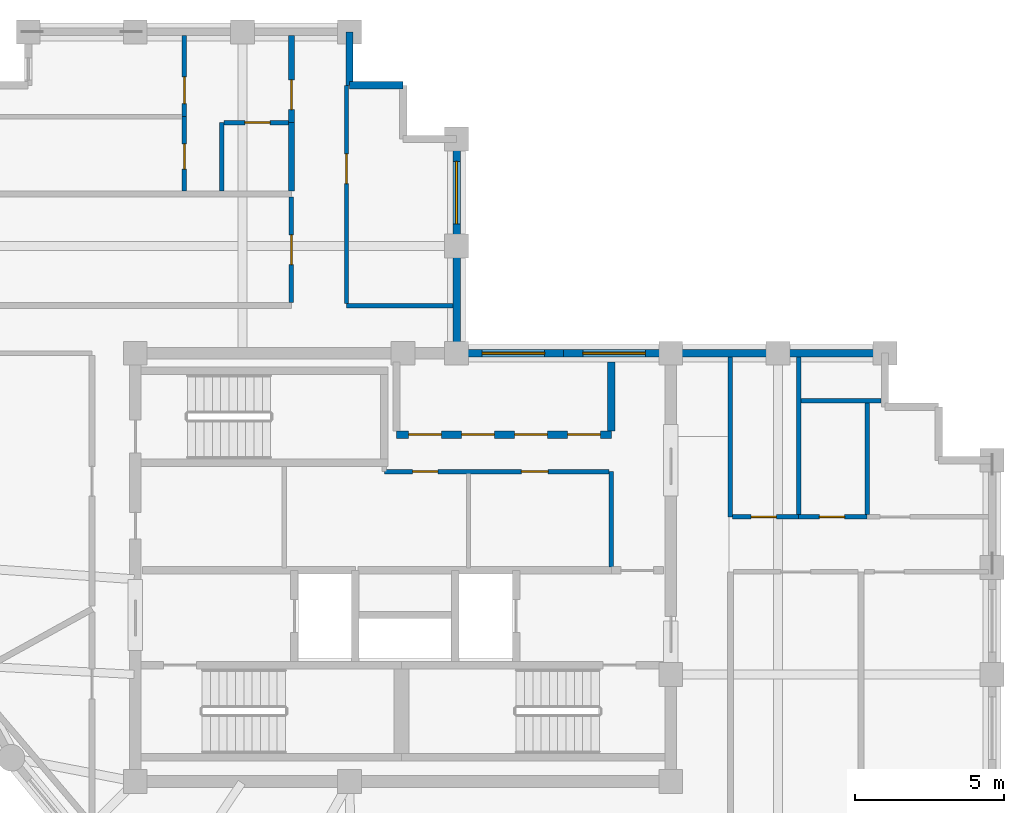
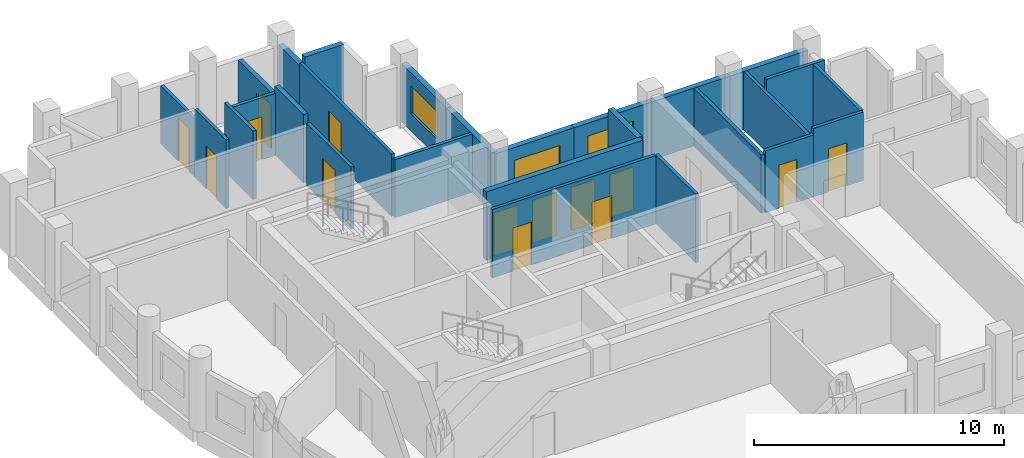
# One storey, part 4 of 6: 27 walls, 14 doors, 3 windows, 17 openings.
"""IFC4 building model written with IfcOpenShell, lengths in metres."""

from ifc_helpers import new_model, si_unit, direction, frame, frame_2d, origin, place, context, subcontext, project, spatial, rectangle, extrude, material, layer, layer_set, type_object, element, fill, save


model = new_model("IFC4")

# Units and contexts
model_context = context("Model", 3, precision=1e-05, world=origin(), true_north=direction((0.0, 1.0)))
body_context = subcontext(model_context, "Body", "Model", "MODEL_VIEW")
ifc_project = project(units=[si_unit("LENGTHUNIT", "METRE"), si_unit("AREAUNIT", "SQUARE_METRE"), si_unit("VOLUMEUNIT", "CUBIC_METRE"), si_unit("PLANEANGLEUNIT", "RADIAN"), si_unit("MASSUNIT", "GRAM", prefix="KILO")], contexts=[model_context])

# Site, building, storey
site_placement = place(None, origin())
site = spatial("IfcSite", under=ifc_project, at=site_placement, CompositionType="ELEMENT")
building_placement = place(site_placement, origin())
building = spatial("IfcBuilding", under=site, at=building_placement, Name="Solnavia Interchange Tower", CompositionType="ELEMENT")
storey_placement = place(building_placement, frame((0.0, 0.0, 277.39990234375)))
storey = spatial("IfcBuildingStorey", under=building, at=storey_placement, Name="L70", CompositionType="ELEMENT", Elevation=277.39990234375)

# Wall
ifc_material_1 = material(Name="Gypsum Acoustic Twin-Stud & Mineral Wool", Category="gypsum")
ifc_layer_1 = layer(ifc_material_1, 0.199951171875)
ifc_layer_set_1 = layer_set([ifc_layer_1], Name="Gypsum Acoustic Twin-Stud & Mineral Wool")
wall_type_1 = type_object("IfcWallType", Name="Wall-ApartmentParty-200", PredefinedType="PARTITIONING", material=ifc_layer_set_1)
wall_1_placement = place(storey_placement, frame((19.64990234375, 30.654052734375, 0.0), z_axis=(0.0, 0.0, 1.0), x_axis=(0.0, 1.0, 0.0)))
element("IfcWall", 1, at=wall_1_placement, inside=storey, type_object=wall_type_1, Name="PTW-L70-23 Interior partition wall", PredefinedType="PARTITIONING", context=body_context, shape_type="SweptSolid", body=[
    extrude(rectangle(XDim=2.2958984375, YDim=0.199951171875, at=frame_2d((1.14794921875, 0.0))), origin(), (0.0, 0.0, 1.0), 3.335205078125),
])

# Wall, opening, door
wall_2_placement = place(storey_placement, frame((19.64990234375, 32.949951171875, 0.0), z_axis=(0.0, 0.0, 1.0), x_axis=(0.0, 1.0, 0.0)))
wall_2 = element("IfcWall", 2, at=wall_2_placement, inside=storey, type_object=wall_type_1, Name="PTW-L70-26 Interior partition wall", PredefinedType="PARTITIONING", context=body_context, shape_type="SweptSolid", body=[
    extrude(rectangle(XDim=2.921142578125, YDim=0.199951171875, at=frame_2d((1.46044921875, 0.0))), origin(), (0.0, 0.0, 1.0), 2.830078125),
])
opening_1_placement = place(wall_2_placement, frame((0.43798828125, 0.0, 0.0)))
opening_1 = element("IfcOpeningElement", 3, at=opening_1_placement, cuts=wall_2, Name="Opening DR-06", PredefinedType="OPENING", context=body_context, shape_type="SweptSolid", body=[
    extrude(rectangle(XDim=1.0, YDim=2.10009765625, at=frame_2d((0.5, 1.050048828125))), frame((0.0, 0.10986328125, 0.0), z_axis=(0.0, -1.0, 0.0), x_axis=(1.0, 0.0, 0.0)), (0.0, 0.0, 1.0), 0.219970703125),
])
ifc_material_2 = material(Name="Engineered Timber Acoustic Fire Door", Category="wood")
door_type_1 = type_object("IfcDoorType", Name="Door-FlatEntry-1000x2100", OperationType="SINGLE_SWING_LEFT", PredefinedType="DOOR", material=ifc_material_2)
door_1_placement = place(opening_1_placement, origin())
door_1 = element("IfcDoor", 4, at=door_1_placement, inside=storey, type_object=door_type_1, Name="DR-L70-12 Interior room door", OperationType="SINGLE_SWING_RIGHT", OverallHeight=2.10009765625, OverallWidth=1.0, PredefinedType="DOOR", context=body_context, shape_type="SweptSolid", body=[
    extrude(rectangle(XDim=1.0, YDim=2.10009765625, at=frame_2d((0.5, 1.050048828125))), frame((0.0, 0.02490234375, 0.0), z_axis=(0.0, -1.0, 0.0), x_axis=(1.0, 0.0, 0.0)), (0.0, 0.0, 1.0), 0.050048828125),
])
fill(opening_1, door_1)

# Walls
ifc_material_3 = material(Name="Concrete C40/50", Category="concrete")
ifc_layer_2 = layer(ifc_material_3, 0.25)
ifc_layer_set_2 = layer_set([ifc_layer_2], Name="Concrete C40/50")
wall_type_2 = type_object("IfcWallType", Name="Wall-ExtSpandrel-250", PredefinedType="STANDARD", material=ifc_layer_set_2)
for number, where, z_axis, x_axis, name in (
    (5, (36.0, 25.199951171875, 0.0), (0.0, 0.0, 1.0), (1.0, 0.0, 0.0), "EXW-L70-17 Exterior precast spandrel wall"),
    (6, (32.39990234375, 25.199951171875, 0.0), (0.0, 0.0, 1.0), (1.0, 0.0, 0.0), "EXW-L70-18 Exterior precast spandrel wall"),
):
    element("IfcWall", number, at=place(storey_placement, frame(where, z_axis=z_axis, x_axis=x_axis)), inside=storey, type_object=wall_type_2, Name=name, PredefinedType="STANDARD", context=body_context, shape_type="SweptSolid", body=[
        extrude(rectangle(XDim=3.60009765625, YDim=0.25, at=frame_2d((1.800048828125, 0.0))), origin(), (0.0, 0.0, 1.0), 2.830078125),
    ])

# Wall, opening, window
wall_3_placement = place(storey_placement, frame((28.800048828125, 25.199951171875, 0.0), z_axis=(0.0, 0.0, 1.0), x_axis=(1.0, 0.0, 0.0)))
wall_3 = element("IfcWall", 7, at=wall_3_placement, inside=storey, type_object=wall_type_2, Name="EXW-L70-19 Exterior precast spandrel wall", PredefinedType="STANDARD", context=body_context, shape_type="SweptSolid", body=[
    extrude(rectangle(XDim=3.599853515625, YDim=0.25, at=frame_2d((1.7998046875, 0.0))), origin(), (0.0, 0.0, 1.0), 2.830078125),
])
opening_2_placement = place(wall_3_placement, frame((0.64501953125, 0.0, 0.85009765625)))
opening_2 = element("IfcOpeningElement", 8, at=opening_2_placement, cuts=wall_3, Name="Opening WIN-01", PredefinedType="OPENING", context=body_context, shape_type="SweptSolid", body=[
    extrude(rectangle(XDim=2.10009765625, YDim=1.35009765625, at=frame_2d((1.050048828125, 0.675048828125))), frame((0.0, 0.135009765625, 0.0), z_axis=(0.0, -1.0, 0.0), x_axis=(1.0, 0.0, 0.0)), (0.0, 0.0, 1.0), 0.27001953125),
])
ifc_material_4 = material(Name="Thermal-Break Aluminium & Low-E Glass", Category="aluminium")
window_type = type_object("IfcWindowType", Name="Window-Ribbon-2100x1350", PartitioningType="SINGLE_PANEL", PredefinedType="WINDOW", material=ifc_material_4)
window_1_placement = place(opening_2_placement, origin())
window_1 = element("IfcWindow", 9, at=window_1_placement, inside=storey, type_object=window_type, Name="WIN-L70-19 Facade ribbon window", OverallHeight=1.35009765625, OverallWidth=2.10009765625, PartitioningType="SINGLE_PANEL", PredefinedType="WINDOW", context=body_context, shape_type="SweptSolid", body=[
    extrude(rectangle(XDim=2.10009765625, YDim=1.35009765625, at=frame_2d((1.050048828125, 0.675048828125))), frame((0.0, 0.030029296875, 0.0), z_axis=(0.0, -1.0, 0.0), x_axis=(1.0, 0.0, 0.0)), (0.0, 0.0, 1.0), 0.06005859375),
])
fill(opening_2, window_1)

wall_4_placement = place(storey_placement, frame((25.199951171875, 25.199951171875, 0.0), z_axis=(0.0, 0.0, 1.0), x_axis=(1.0, 0.0, 0.0)))
wall_4 = element("IfcWall", 10, at=wall_4_placement, inside=storey, type_object=wall_type_2, Name="EXW-L70-20 Exterior precast spandrel wall", PredefinedType="STANDARD", context=body_context, shape_type="SweptSolid", body=[
    extrude(rectangle(XDim=3.60009765625, YDim=0.25, at=frame_2d((1.800048828125, 0.0))), origin(), (0.0, 0.0, 1.0), 2.830078125),
])
opening_3_placement = place(wall_4_placement, frame((0.85498046875, 0.0, 0.85009765625)))
opening_3 = element("IfcOpeningElement", 11, at=opening_3_placement, cuts=wall_4, Name="Opening WIN-01", PredefinedType="OPENING", context=body_context, shape_type="SweptSolid", body=[
    extrude(rectangle(XDim=2.10009765625, YDim=1.35009765625, at=frame_2d((1.050048828125, 0.675048828125))), frame((0.0, 0.135009765625, 0.0), z_axis=(0.0, -1.0, 0.0), x_axis=(1.0, 0.0, 0.0)), (0.0, 0.0, 1.0), 0.27001953125),
])
window_2_placement = place(opening_3_placement, origin())
window_2 = element("IfcWindow", 12, at=window_2_placement, inside=storey, type_object=window_type, Name="WIN-L70-20 Facade ribbon window", OverallHeight=1.35009765625, OverallWidth=2.10009765625, PartitioningType="SINGLE_PANEL", PredefinedType="WINDOW", context=body_context, shape_type="SweptSolid", body=[
    extrude(rectangle(XDim=2.10009765625, YDim=1.35009765625, at=frame_2d((1.050048828125, 0.675048828125))), frame((0.0, 0.030029296875, 0.0), z_axis=(0.0, -1.0, 0.0), x_axis=(1.0, 0.0, 0.0)), (0.0, 0.0, 1.0), 0.06005859375),
])
fill(opening_3, window_2)

# Wall
wall_5_placement = place(storey_placement, frame((25.199951171875, 28.800048828125, 0.0), z_axis=(0.0, 0.0, 1.0), x_axis=(0.0, -1.0, 0.0)))
element("IfcWall", 13, at=wall_5_placement, inside=storey, type_object=wall_type_2, Name="EXW-L70-21 Exterior precast spandrel wall", PredefinedType="STANDARD", context=body_context, shape_type="SweptSolid", body=[
    extrude(rectangle(XDim=3.60009765625, YDim=0.25, at=frame_2d((1.800048828125, 0.0))), origin(), (0.0, 0.0, 1.0), 2.830078125),
])

# Wall, opening, window
wall_6_placement = place(storey_placement, frame((25.199951171875, 32.39990234375, 0.0), z_axis=(0.0, 0.0, 1.0), x_axis=(0.0, -1.0, 0.0)))
wall_6 = element("IfcWall", 14, at=wall_6_placement, inside=storey, type_object=wall_type_2, Name="EXW-L70-22 Exterior precast spandrel wall", PredefinedType="STANDARD", context=body_context, shape_type="SweptSolid", body=[
    extrude(rectangle(XDim=3.599853515625, YDim=0.25, at=frame_2d((1.7998046875, 0.0))), origin(), (0.0, 0.0, 1.0), 2.830078125),
])
opening_4_placement = place(wall_6_placement, frame((0.75, 0.0, 0.85009765625)))
opening_4 = element("IfcOpeningElement", 15, at=opening_4_placement, cuts=wall_6, Name="Opening WIN-01", PredefinedType="OPENING", context=body_context, shape_type="SweptSolid", body=[
    extrude(rectangle(XDim=2.10009765625, YDim=1.35009765625, at=frame_2d((1.050048828125, 0.675048828125))), frame((0.0, 0.135009765625, 0.0), z_axis=(0.0, -1.0, 0.0), x_axis=(1.0, 0.0, 0.0)), (0.0, 0.0, 1.0), 0.27001953125),
])
window_3_placement = place(opening_4_placement, origin())
window_3 = element("IfcWindow", 16, at=window_3_placement, inside=storey, type_object=window_type, Name="WIN-L70-22 Facade ribbon window", OverallHeight=1.35009765625, OverallWidth=2.10009765625, PartitioningType="SINGLE_PANEL", PredefinedType="WINDOW", context=body_context, shape_type="SweptSolid", body=[
    extrude(rectangle(XDim=2.10009765625, YDim=1.35009765625, at=frame_2d((1.050048828125, 0.675048828125))), frame((0.0, 0.030029296875, 0.0), z_axis=(0.0, -1.0, 0.0), x_axis=(1.0, 0.0, 0.0)), (0.0, 0.0, 1.0), 0.06005859375),
])
fill(opening_4, window_3)

# Walls
wall_7_placement = place(storey_placement, frame((21.60009765625, 34.199951171875, 0.0), z_axis=(0.0, 0.0, 1.0), x_axis=(1.0, 0.0, 0.0)))
element("IfcWall", 17, at=wall_7_placement, inside=storey, type_object=wall_type_2, Name="EXW-L70-25 Exterior precast spandrel wall", PredefinedType="STANDARD", context=body_context, shape_type="SweptSolid", body=[
    extrude(rectangle(XDim=1.7998046875, YDim=0.25, at=frame_2d((0.89990234375, 0.0))), origin(), (0.0, 0.0, 1.0), 3.335205078125),
])
wall_8_placement = place(storey_placement, frame((21.60009765625, 34.199951171875, 0.0), z_axis=(0.0, 0.0, 1.0), x_axis=(0.0, 1.0, 0.0)))
element("IfcWall", 18, at=wall_8_placement, inside=storey, type_object=wall_type_2, Name="EXW-L70-26 Exterior precast spandrel wall", PredefinedType="STANDARD", context=body_context, shape_type="SweptSolid", body=[
    extrude(rectangle(XDim=1.800048828125, YDim=0.25, at=frame_2d((0.89990234375, 0.0))), origin(), (0.0, 0.0, 1.0), 2.830078125),
])

# Wall, openings, doors
ifc_material_5 = material(Name="Gypsum Plasterboard & Steel Stud", Category="steel")
ifc_layer_3 = layer(ifc_material_5, 0.14990234375)
ifc_layer_set_3 = layer_set([ifc_layer_3], Name="Gypsum Plasterboard & Steel Stud")
wall_type_3 = type_object("IfcWallType", Name="Wall-Partition-150", PredefinedType="PARTITIONING", material=ifc_layer_set_3)
wall_9_placement = place(storey_placement, frame((22.77490234375, 21.219970703125, 0.0), z_axis=(0.0, 0.0, 1.0), x_axis=(1.0, 0.0, 0.0)))
wall_9 = element("IfcWall", 19, at=wall_9_placement, inside=storey, type_object=wall_type_3, Name="CSW-L70-N-ALL Core shaft wall", PredefinedType="PARTITIONING", context=body_context, shape_type="SweptSolid", body=[
    extrude(rectangle(XDim=7.545166015625, YDim=0.14990234375, at=frame_2d((3.7724609375, 0.0))), origin(), (0.0, 0.0, 1.0), 3.335205078125),
])
opening_5_placement = place(wall_9_placement, frame((0.949951171875, 0.0, 0.0)))
opening_5 = element("IfcOpeningElement", 20, at=opening_5_placement, cuts=wall_9, Name="Opening DR-10", PredefinedType="OPENING", context=body_context, shape_type="SweptSolid", body=[
    extrude(rectangle(XDim=0.85009765625, YDim=2.10009765625, at=frame_2d((0.425048828125, 1.050048828125))), frame((0.0, 0.0849609375, 0.0), z_axis=(0.0, -1.0, 0.0), x_axis=(1.0, 0.0, 0.0)), (0.0, 0.0, 1.0), 0.169921875),
])
opening_6_placement = place(wall_9_placement, frame((4.60009765625, 0.0, 0.0)))
opening_6 = element("IfcOpeningElement", 21, at=opening_6_placement, cuts=wall_9, Name="Opening DR-09", PredefinedType="OPENING", context=body_context, shape_type="SweptSolid", body=[
    extrude(rectangle(XDim=0.89990234375, YDim=2.10009765625, at=frame_2d((0.449951171875, 1.050048828125))), frame((0.0, 0.0849609375, 0.0), z_axis=(0.0, -1.0, 0.0), x_axis=(1.0, 0.0, 0.0)), (0.0, 0.0, 1.0), 0.169921875),
])
ifc_material_6 = material(Name="Moisture-Resistant Timber Door", Category="wood")
door_type_2 = type_object("IfcDoorType", Name="Door-Bathroom-850x2100", OperationType="SINGLE_SWING_RIGHT", PredefinedType="DOOR", material=ifc_material_6)
door_2_placement = place(opening_5_placement, origin())
door_2 = element("IfcDoor", 22, at=door_2_placement, inside=storey, type_object=door_type_2, Name="DR-L70-CS2 Core fire door", OperationType="SINGLE_SWING_LEFT", OverallHeight=2.10009765625, OverallWidth=0.85009765625, PredefinedType="DOOR", context=body_context, shape_type="SweptSolid", body=[
    extrude(rectangle(XDim=0.85009765625, YDim=2.10009765625, at=frame_2d((0.425048828125, 1.050048828125))), frame((0.0, 0.02490234375, 0.0), z_axis=(0.0, -1.0, 0.0), x_axis=(1.0, 0.0, 0.0)), (0.0, 0.0, 1.0), 0.050048828125),
])
fill(opening_5, door_2)
ifc_material_7 = material(Name="Engineered Oak Veneer Door", Category="wood")
door_type_3 = type_object("IfcDoorType", Name="Door-Internal-900x2100", OperationType="SINGLE_SWING_LEFT", PredefinedType="DOOR", material=ifc_material_7)
door_3_placement = place(opening_6_placement, origin())
door_3 = element("IfcDoor", 23, at=door_3_placement, inside=storey, type_object=door_type_3, Name="DR-L70-CS3 Core fire door", OperationType="SINGLE_SWING_RIGHT", OverallHeight=2.10009765625, OverallWidth=0.89990234375, PredefinedType="DOOR", context=body_context, shape_type="SweptSolid", body=[
    extrude(rectangle(XDim=0.89990234375, YDim=2.10009765625, at=frame_2d((0.449951171875, 1.050048828125))), frame((0.0, 0.02490234375, 0.0), z_axis=(0.0, -1.0, 0.0), x_axis=(1.0, 0.0, 0.0)), (0.0, 0.0, 1.0), 0.050048828125),
])
fill(opening_6, door_3)

# Wall
wall_10_placement = place(storey_placement, frame((30.39990234375, 18.02001953125, 0.0), z_axis=(0.0, 0.0, 1.0), x_axis=(0.0, 1.0, 0.0)))
element("IfcWall", 24, at=wall_10_placement, inside=storey, type_object=wall_type_3, Name="CSW-L70-E-E Core shaft wall", PredefinedType="PARTITIONING", context=body_context, shape_type="SweptSolid", body=[
    extrude(rectangle(XDim=3.199951171875, YDim=0.14990234375, at=frame_2d((1.60009765625, 0.0))), origin(), (0.0, 0.0, 1.0), 3.335205078125),
])

# Wall, opening, door
wall_11_placement = place(storey_placement, frame((19.64990234375, 26.904052734375, 0.0), z_axis=(0.0, 0.0, 1.0), x_axis=(0.0, 1.0, 0.0)))
wall_11 = element("IfcWall", 25, at=wall_11_placement, inside=storey, type_object=wall_type_3, Name="PTW-L70-22 Interior partition wall", PredefinedType="PARTITIONING", context=body_context, shape_type="SweptSolid", body=[
    extrude(rectangle(XDim=3.5419921875, YDim=0.14990234375, at=frame_2d((1.77099609375, 0.0))), origin(), (0.0, 0.0, 1.0), 3.030029296875),
])
opening_7_placement = place(wall_11_placement, frame((1.27099609375, 0.0, 0.0)))
opening_7 = element("IfcOpeningElement", 26, at=opening_7_placement, cuts=wall_11, Name="Opening DR-07", PredefinedType="OPENING", context=body_context, shape_type="SweptSolid", body=[
    extrude(rectangle(XDim=1.0, YDim=2.10009765625, at=frame_2d((0.5, 1.050048828125))), frame((0.0, 0.0849609375, 0.0), z_axis=(0.0, -1.0, 0.0), x_axis=(1.0, 0.0, 0.0)), (0.0, 0.0, 1.0), 0.169921875),
])
ifc_material_8 = material(Name="Timber & Acoustic Glazed Office Door", Category="wood")
door_type_4 = type_object("IfcDoorType", Name="Door-Office-1000x2100", OperationType="SINGLE_SWING_RIGHT", PredefinedType="DOOR", material=ifc_material_8)
door_4_placement = place(opening_7_placement, origin())
door_4 = element("IfcDoor", 27, at=door_4_placement, inside=storey, type_object=door_type_4, Name="DR-L70-10 Interior room door", OperationType="SINGLE_SWING_RIGHT", OverallHeight=2.10009765625, OverallWidth=1.0, PredefinedType="DOOR", context=body_context, shape_type="SweptSolid", body=[
    extrude(rectangle(XDim=1.0, YDim=2.10009765625, at=frame_2d((0.5, 1.050048828125))), frame((0.0, 0.02490234375, 0.0), z_axis=(0.0, -1.0, 0.0), x_axis=(1.0, 0.0, 0.0)), (0.0, 0.0, 1.0), 0.050048828125),
])
fill(opening_7, door_4)

wall_12_placement = place(storey_placement, frame((16.050048828125, 33.14990234375, 0.0), z_axis=(0.0, 0.0, 1.0), x_axis=(0.0, 1.0, 0.0)))
wall_12 = element("IfcWall", 28, at=wall_12_placement, inside=storey, type_object=wall_type_3, Name="PTW-L70-27 Interior partition wall", PredefinedType="PARTITIONING", context=body_context, shape_type="SweptSolid", body=[
    extrude(rectangle(XDim=2.72119140625, YDim=0.14990234375, at=frame_2d((1.360595703125, 0.0))), origin(), (0.0, 0.0, 1.0), 2.830078125),
])
opening_8_placement = place(wall_12_placement, frame((0.43701171875, 0.0, 0.0)))
opening_8 = element("IfcOpeningElement", 29, at=opening_8_placement, cuts=wall_12, Name="Opening DR-09", PredefinedType="OPENING", context=body_context, shape_type="SweptSolid", body=[
    extrude(rectangle(XDim=0.89990234375, YDim=2.10009765625, at=frame_2d((0.449951171875, 1.050048828125))), frame((0.0, 0.0849609375, 0.0), z_axis=(0.0, -1.0, 0.0), x_axis=(1.0, 0.0, 0.0)), (0.0, 0.0, 1.0), 0.169921875),
])
door_5_placement = place(opening_8_placement, origin())
door_5 = element("IfcDoor", 30, at=door_5_placement, inside=storey, type_object=door_type_3, Name="DR-L70-13 Interior room door", OperationType="SINGLE_SWING_LEFT", OverallHeight=2.10009765625, OverallWidth=0.89990234375, PredefinedType="DOOR", context=body_context, shape_type="SweptSolid", body=[
    extrude(rectangle(XDim=0.89990234375, YDim=2.10009765625, at=frame_2d((0.449951171875, 1.050048828125))), frame((0.0, 0.02490234375, 0.0), z_axis=(0.0, -1.0, 0.0), x_axis=(1.0, 0.0, 0.0)), (0.0, 0.0, 1.0), 0.050048828125),
])
fill(opening_8, door_5)

# Wall
wall_13_placement = place(storey_placement, frame((21.5, 26.800048828125, 0.0), z_axis=(0.0, 0.0, 1.0), x_axis=(1.0, 0.0, 0.0)))
element("IfcWall", 31, at=wall_13_placement, inside=storey, type_object=wall_type_3, Name="PTW-L70-30 Interior partition wall", PredefinedType="PARTITIONING", context=body_context, shape_type="SweptSolid", body=[
    extrude(rectangle(XDim=3.571044921875, YDim=0.14990234375, at=frame_2d((1.78564453125, 0.0))), origin(), (0.0, 0.0, 1.0), 2.830078125),
])

# Wall, opening, door
wall_14_placement = place(storey_placement, frame((21.5, 26.87890625, 0.0), z_axis=(0.0, 0.0, 1.0), x_axis=(0.0, 1.0, 0.0)))
wall_14 = element("IfcWall", 32, at=wall_14_placement, inside=storey, type_object=wall_type_3, Name="PTW-L70-31 Interior partition wall", PredefinedType="PARTITIONING", context=body_context, shape_type="SweptSolid", body=[
    extrude(rectangle(XDim=7.321044921875, YDim=0.14990234375, at=frame_2d((3.66064453125, 0.0))), origin(), (0.0, 0.0, 1.0), 3.030029296875),
])
opening_9_placement = place(wall_14_placement, frame((4.02099609375, 0.0, 0.0)))
opening_9 = element("IfcOpeningElement", 33, at=opening_9_placement, cuts=wall_14, Name="Opening DR-07", PredefinedType="OPENING", context=body_context, shape_type="SweptSolid", body=[
    extrude(rectangle(XDim=1.0, YDim=2.10009765625, at=frame_2d((0.5, 1.050048828125))), frame((0.0, 0.0849609375, 0.0), z_axis=(0.0, -1.0, 0.0), x_axis=(1.0, 0.0, 0.0)), (0.0, 0.0, 1.0), 0.169921875),
])
door_6_placement = place(opening_9_placement, origin())
door_6 = element("IfcDoor", 34, at=door_6_placement, inside=storey, type_object=door_type_4, Name="DR-L70-15 Interior room door", OperationType="SINGLE_SWING_LEFT", OverallHeight=2.10009765625, OverallWidth=1.0, PredefinedType="DOOR", context=body_context, shape_type="SweptSolid", body=[
    extrude(rectangle(XDim=1.0, YDim=2.10009765625, at=frame_2d((0.5, 1.050048828125))), frame((0.0, 0.02490234375, 0.0), z_axis=(0.0, -1.0, 0.0), x_axis=(1.0, 0.0, 0.0)), (0.0, 0.0, 1.0), 0.050048828125),
])
fill(opening_9, door_6)

# Wall, openings, doors
ifc_layer_4 = layer(ifc_material_3, 0.25)
ifc_layer_set_4 = layer_set([ifc_layer_4], Name="Concrete C40/50")
wall_type_4 = type_object("IfcWallType", Name="Wall-ShaftPart-250", PredefinedType="PARTITIONING", material=ifc_layer_set_4)
wall_15_placement = place(storey_placement, frame((23.179931640625, 22.4599609375, 0.0), z_axis=(0.0, 0.0, 1.0), x_axis=(1.0, 0.0, 0.0)))
wall_15 = element("IfcWall", 35, at=wall_15_placement, inside=storey, type_object=wall_type_4, Name="SHW-L70-B3S Core shaft wall", PredefinedType="PARTITIONING", context=body_context, shape_type="SweptSolid", body=[
    extrude(rectangle(XDim=7.219970703125, YDim=0.25, at=frame_2d((3.60986328125, 0.0))), origin(), (0.0, 0.0, 1.0), 3.335205078125),
])
opening_10_placement = place(wall_15_placement, frame((0.409912109375, 0.0, 0.0)))
opening_10 = element("IfcOpeningElement", 36, at=opening_10_placement, cuts=wall_15, Name="Opening LD-01", PredefinedType="OPENING", context=body_context, shape_type="SweptSolid", body=[
    extrude(rectangle(XDim=1.10009765625, YDim=2.10009765625, at=frame_2d((0.550048828125, 1.050048828125))), frame((0.0, 0.135009765625, 0.0), z_axis=(0.0, -1.0, 0.0), x_axis=(1.0, 0.0, 0.0)), (0.0, 0.0, 1.0), 0.27001953125),
])
opening_11_placement = place(wall_15_placement, frame((2.18994140625, 0.0, 0.0)))
opening_11 = element("IfcOpeningElement", 37, at=opening_11_placement, cuts=wall_15, Name="Opening LD-01", PredefinedType="OPENING", context=body_context, shape_type="SweptSolid", body=[
    extrude(rectangle(XDim=1.10009765625, YDim=2.10009765625, at=frame_2d((0.550048828125, 1.050048828125))), frame((0.0, 0.135009765625, 0.0), z_axis=(0.0, -1.0, 0.0), x_axis=(1.0, 0.0, 0.0)), (0.0, 0.0, 1.0), 0.27001953125),
])
opening_12_placement = place(wall_15_placement, frame((3.969970703125, 0.0, 0.0)))
opening_12 = element("IfcOpeningElement", 38, at=opening_12_placement, cuts=wall_15, Name="Opening LD-01", PredefinedType="OPENING", context=body_context, shape_type="SweptSolid", body=[
    extrude(rectangle(XDim=1.10009765625, YDim=2.10009765625, at=frame_2d((0.550048828125, 1.050048828125))), frame((0.0, 0.135009765625, 0.0), z_axis=(0.0, -1.0, 0.0), x_axis=(1.0, 0.0, 0.0)), (0.0, 0.0, 1.0), 0.27001953125),
])
opening_13_placement = place(wall_15_placement, frame((5.75, 0.0, 0.0)))
opening_13 = element("IfcOpeningElement", 39, at=opening_13_placement, cuts=wall_15, Name="Opening LD-01", PredefinedType="OPENING", context=body_context, shape_type="SweptSolid", body=[
    extrude(rectangle(XDim=1.10009765625, YDim=2.10009765625, at=frame_2d((0.550048828125, 1.050048828125))), frame((0.0, 0.135009765625, 0.0), z_axis=(0.0, -1.0, 0.0), x_axis=(1.0, 0.0, 0.0)), (0.0, 0.0, 1.0), 0.27001953125),
])
ifc_material_9 = material(Name="Brushed Stainless Steel Sliding Door", Category="steel")
door_type_5 = type_object("IfcDoorType", Name="Door-LiftLanding-1100x2100", OperationType="SLIDING_TO_LEFT", PredefinedType="DOOR", material=ifc_material_9)
door_7_placement = place(opening_10_placement, origin())
door_7 = element("IfcDoor", 40, at=door_7_placement, inside=storey, type_object=door_type_5, Name="LD-L70-B3-1 Lift landing sliding door", OperationType="SLIDING_TO_LEFT", OverallHeight=2.10009765625, OverallWidth=1.10009765625, PredefinedType="DOOR", context=body_context, shape_type="SweptSolid", body=[
    extrude(rectangle(XDim=1.10009765625, YDim=2.10009765625, at=frame_2d((0.550048828125, 1.050048828125))), frame((0.0, 0.02490234375, 0.0), z_axis=(0.0, -1.0, 0.0), x_axis=(1.0, 0.0, 0.0)), (0.0, 0.0, 1.0), 0.050048828125),
])
fill(opening_10, door_7)
door_8_placement = place(opening_11_placement, origin())
door_8 = element("IfcDoor", 41, at=door_8_placement, inside=storey, type_object=door_type_5, Name="LD-L70-B3-2 Lift landing sliding door", OperationType="SLIDING_TO_LEFT", OverallHeight=2.10009765625, OverallWidth=1.10009765625, PredefinedType="DOOR", context=body_context, shape_type="SweptSolid", body=[
    extrude(rectangle(XDim=1.10009765625, YDim=2.10009765625, at=frame_2d((0.550048828125, 1.050048828125))), frame((0.0, 0.02490234375, 0.0), z_axis=(0.0, -1.0, 0.0), x_axis=(1.0, 0.0, 0.0)), (0.0, 0.0, 1.0), 0.050048828125),
])
fill(opening_11, door_8)
door_9_placement = place(opening_12_placement, origin())
door_9 = element("IfcDoor", 42, at=door_9_placement, inside=storey, type_object=door_type_5, Name="LD-L70-B3-3 Lift landing sliding door", OperationType="SLIDING_TO_LEFT", OverallHeight=2.10009765625, OverallWidth=1.10009765625, PredefinedType="DOOR", context=body_context, shape_type="SweptSolid", body=[
    extrude(rectangle(XDim=1.10009765625, YDim=2.10009765625, at=frame_2d((0.550048828125, 1.050048828125))), frame((0.0, 0.02490234375, 0.0), z_axis=(0.0, -1.0, 0.0), x_axis=(1.0, 0.0, 0.0)), (0.0, 0.0, 1.0), 0.050048828125),
])
fill(opening_12, door_9)
door_10_placement = place(opening_13_placement, origin())
door_10 = element("IfcDoor", 43, at=door_10_placement, inside=storey, type_object=door_type_5, Name="LD-L70-B3-4 Lift landing sliding door", OperationType="SLIDING_TO_LEFT", OverallHeight=2.10009765625, OverallWidth=1.10009765625, PredefinedType="DOOR", context=body_context, shape_type="SweptSolid", body=[
    extrude(rectangle(XDim=1.10009765625, YDim=2.10009765625, at=frame_2d((0.550048828125, 1.050048828125))), frame((0.0, 0.02490234375, 0.0), z_axis=(0.0, -1.0, 0.0), x_axis=(1.0, 0.0, 0.0)), (0.0, 0.0, 1.0), 0.050048828125),
])
fill(opening_13, door_10)

# Walls
wall_16_placement = place(storey_placement, frame((30.39990234375, 22.5849609375, 0.0), z_axis=(0.0, 0.0, 1.0), x_axis=(0.0, 1.0, 0.0)))
element("IfcWall", 44, at=wall_16_placement, inside=storey, type_object=wall_type_4, Name="SHW-L70-B3E Core shaft wall", PredefinedType="PARTITIONING", context=body_context, shape_type="SweptSolid", body=[
    extrude(rectangle(XDim=2.31494140625, YDim=0.25, at=frame_2d((1.157470703125, 0.0))), origin(), (0.0, 0.0, 1.0), 3.335205078125),
])
ifc_material_10 = material(Name="Moisture-Resistant Gypsum & Steel Stud", Category="steel")
ifc_layer_5 = layer(ifc_material_10, 0.14990234375)
ifc_layer_set_5 = layer_set([ifc_layer_5], Name="Moisture-Resistant Gypsum & Steel Stud")
wall_type_5 = type_object("IfcWallType", Name="Wall-WetRoom-150", PredefinedType="PARTITIONING", material=ifc_layer_set_5)
wall_17_placement = place(storey_placement, frame((34.39990234375, 19.699951171875, 0.0), z_axis=(0.0, 0.0, 1.0), x_axis=(0.0, 1.0, 0.0)))
element("IfcWall", 45, at=wall_17_placement, inside=storey, type_object=wall_type_5, Name="PTW-L70-01 Interior partition wall", PredefinedType="PARTITIONING", context=body_context, shape_type="SweptSolid", body=[
    extrude(rectangle(XDim=5.37109375, YDim=0.14990234375, at=frame_2d((2.685546875, 0.0))), origin(), (0.0, 0.0, 1.0), 2.830078125),
])

# Wall, opening, door
wall_18_placement = place(storey_placement, frame((34.47900390625, 19.699951171875, 0.0), z_axis=(0.0, 0.0, 1.0), x_axis=(1.0, 0.0, 0.0)))
wall_18 = element("IfcWall", 46, at=wall_18_placement, inside=storey, type_object=wall_type_5, Name="PTW-L70-02 Interior partition wall", PredefinedType="PARTITIONING", context=body_context, shape_type="SweptSolid", body=[
    extrude(rectangle(XDim=2.220947265625, YDim=0.14990234375, at=frame_2d((1.1103515625, 0.0))), origin(), (0.0, 0.0, 1.0), 3.02001953125),
])
opening_14_placement = place(wall_18_placement, frame((0.617919921875, 0.0, 0.0)))
opening_14 = element("IfcOpeningElement", 47, at=opening_14_placement, cuts=wall_18, Name="Opening DR-10", PredefinedType="OPENING", context=body_context, shape_type="SweptSolid", body=[
    extrude(rectangle(XDim=0.85009765625, YDim=2.10009765625, at=frame_2d((0.425048828125, 1.050048828125))), frame((0.0, 0.0849609375, 0.0), z_axis=(0.0, -1.0, 0.0), x_axis=(1.0, 0.0, 0.0)), (0.0, 0.0, 1.0), 0.169921875),
])
door_11_placement = place(opening_14_placement, origin())
door_11 = element("IfcDoor", 48, at=door_11_placement, inside=storey, type_object=door_type_2, Name="DR-L70-01 Interior room door", OperationType="SINGLE_SWING_LEFT", OverallHeight=2.10009765625, OverallWidth=0.85009765625, PredefinedType="DOOR", context=body_context, shape_type="SweptSolid", body=[
    extrude(rectangle(XDim=0.85009765625, YDim=2.10009765625, at=frame_2d((0.425048828125, 1.050048828125))), frame((0.0, 0.02490234375, 0.0), z_axis=(0.0, -1.0, 0.0), x_axis=(1.0, 0.0, 0.0)), (0.0, 0.0, 1.0), 0.050048828125),
])
fill(opening_14, door_11)

# Wall
wall_19_placement = place(storey_placement, frame((36.699951171875, 19.779052734375, 0.0), z_axis=(0.0, 0.0, 1.0), x_axis=(0.0, 1.0, 0.0)))
element("IfcWall", 49, at=wall_19_placement, inside=storey, type_object=wall_type_5, Name="PTW-L70-03 Interior partition wall", PredefinedType="PARTITIONING", context=body_context, shape_type="SweptSolid", body=[
    extrude(rectangle(XDim=5.2919921875, YDim=0.14990234375, at=frame_2d((2.64599609375, 0.0))), origin(), (0.0, 0.0, 1.0), 2.830078125),
])

# Wall, opening, door
wall_20_placement = place(storey_placement, frame((36.699951171875, 19.699951171875, 0.0), z_axis=(0.0, 0.0, 1.0), x_axis=(1.0, 0.0, 0.0)))
wall_20 = element("IfcWall", 50, at=wall_20_placement, inside=storey, type_object=wall_type_5, Name="PTW-L70-04 Interior partition wall", PredefinedType="PARTITIONING", context=body_context, shape_type="SweptSolid", body=[
    extrude(rectangle(XDim=2.300048828125, YDim=0.14990234375, at=frame_2d((1.14990234375, 0.0))), origin(), (0.0, 0.0, 1.0), 3.335205078125),
])
opening_15_placement = place(wall_20_placement, frame((0.697021484375, 0.0, 0.0)))
opening_15 = element("IfcOpeningElement", 51, at=opening_15_placement, cuts=wall_20, Name="Opening DR-10", PredefinedType="OPENING", context=body_context, shape_type="SweptSolid", body=[
    extrude(rectangle(XDim=0.85009765625, YDim=2.10009765625, at=frame_2d((0.425048828125, 1.050048828125))), frame((0.0, 0.0849609375, 0.0), z_axis=(0.0, -1.0, 0.0), x_axis=(1.0, 0.0, 0.0)), (0.0, 0.0, 1.0), 0.169921875),
])
door_12_placement = place(opening_15_placement, origin())
door_12 = element("IfcDoor", 52, at=door_12_placement, inside=storey, type_object=door_type_2, Name="DR-L70-02 Interior room door", OperationType="SINGLE_SWING_RIGHT", OverallHeight=2.10009765625, OverallWidth=0.85009765625, PredefinedType="DOOR", context=body_context, shape_type="SweptSolid", body=[
    extrude(rectangle(XDim=0.85009765625, YDim=2.10009765625, at=frame_2d((0.425048828125, 1.050048828125))), frame((0.0, 0.02490234375, 0.0), z_axis=(0.0, -1.0, 0.0), x_axis=(1.0, 0.0, 0.0)), (0.0, 0.0, 1.0), 0.050048828125),
])
fill(opening_15, door_12)

# Walls
wall_21_placement = place(storey_placement, frame((39.0, 19.779052734375, 0.0), z_axis=(0.0, 0.0, 1.0), x_axis=(0.0, 1.0, 0.0)))
element("IfcWall", 53, at=wall_21_placement, inside=storey, type_object=wall_type_5, Name="PTW-L70-05 Interior partition wall", PredefinedType="PARTITIONING", context=body_context, shape_type="SweptSolid", body=[
    extrude(rectangle(XDim=3.821044921875, YDim=0.14990234375, at=frame_2d((1.91064453125, 0.0))), origin(), (0.0, 0.0, 1.0), 3.335205078125),
])
wall_22_placement = place(storey_placement, frame((36.779052734375, 23.60009765625, 0.0), z_axis=(0.0, 0.0, 1.0), x_axis=(1.0, 0.0, 0.0)))
element("IfcWall", 54, at=wall_22_placement, inside=storey, type_object=wall_type_5, Name="PTW-L70-06 Interior partition wall", PredefinedType="PARTITIONING", context=body_context, shape_type="SweptSolid", body=[
    extrude(rectangle(XDim=2.69189453125, YDim=0.14990234375, at=frame_2d((1.345947265625, 0.0))), origin(), (0.0, 0.0, 1.0), 3.335205078125),
])
wall_23_placement = place(storey_placement, frame((17.300048828125, 30.654052734375, 0.0), z_axis=(0.0, 0.0, 1.0), x_axis=(0.0, 1.0, 0.0)))
element("IfcWall", 55, at=wall_23_placement, inside=storey, type_object=wall_type_5, Name="PTW-L70-24 Interior partition wall", PredefinedType="PARTITIONING", context=body_context, shape_type="SweptSolid", body=[
    extrude(rectangle(XDim=2.2958984375, YDim=0.14990234375, at=frame_2d((1.14794921875, 0.0))), origin(), (0.0, 0.0, 1.0), 3.335205078125),
])

# Wall, opening, door
wall_24_placement = place(storey_placement, frame((17.37890625, 32.949951171875, 0.0), z_axis=(0.0, 0.0, 1.0), x_axis=(1.0, 0.0, 0.0)))
wall_24 = element("IfcWall", 56, at=wall_24_placement, inside=storey, type_object=wall_type_5, Name="PTW-L70-25 Interior partition wall", PredefinedType="PARTITIONING", context=body_context, shape_type="SweptSolid", body=[
    extrude(rectangle(XDim=2.1669921875, YDim=0.14990234375, at=frame_2d((1.08349609375, 0.0))), origin(), (0.0, 0.0, 1.0), 3.030029296875),
])
opening_16_placement = place(wall_24_placement, frame((0.700927734375, 0.0, 0.0)))
opening_16 = element("IfcOpeningElement", 57, at=opening_16_placement, cuts=wall_24, Name="Opening DR-10", PredefinedType="OPENING", context=body_context, shape_type="SweptSolid", body=[
    extrude(rectangle(XDim=0.85009765625, YDim=2.10009765625, at=frame_2d((0.425048828125, 1.050048828125))), frame((0.0, 0.0849609375, 0.0), z_axis=(0.0, -1.0, 0.0), x_axis=(1.0, 0.0, 0.0)), (0.0, 0.0, 1.0), 0.169921875),
])
door_13_placement = place(opening_16_placement, origin())
door_13 = element("IfcDoor", 58, at=door_13_placement, inside=storey, type_object=door_type_2, Name="DR-L70-11 Interior room door", OperationType="SINGLE_SWING_RIGHT", OverallHeight=2.10009765625, OverallWidth=0.85009765625, PredefinedType="DOOR", context=body_context, shape_type="SweptSolid", body=[
    extrude(rectangle(XDim=0.85009765625, YDim=2.10009765625, at=frame_2d((0.425048828125, 1.050048828125))), frame((0.0, 0.02490234375, 0.0), z_axis=(0.0, -1.0, 0.0), x_axis=(1.0, 0.0, 0.0)), (0.0, 0.0, 1.0), 0.050048828125),
])
fill(opening_16, door_13)

wall_25_placement = place(storey_placement, frame((16.050048828125, 30.654052734375, 0.0), z_axis=(0.0, 0.0, 1.0), x_axis=(0.0, 1.0, 0.0)))
wall_25 = element("IfcWall", 59, at=wall_25_placement, inside=storey, type_object=wall_type_5, Name="PTW-L70-28 Interior partition wall", PredefinedType="PARTITIONING", context=body_context, shape_type="SweptSolid", body=[
    extrude(rectangle(XDim=2.495849609375, YDim=0.14990234375, at=frame_2d((1.248046875, 0.0))), origin(), (0.0, 0.0, 1.0), 3.335205078125),
])
opening_17_placement = place(wall_25_placement, frame((0.73095703125, 0.0, 0.0)))
opening_17 = element("IfcOpeningElement", 60, at=opening_17_placement, cuts=wall_25, Name="Opening DR-10", PredefinedType="OPENING", context=body_context, shape_type="SweptSolid", body=[
    extrude(rectangle(XDim=0.85009765625, YDim=2.10009765625, at=frame_2d((0.425048828125, 1.050048828125))), frame((0.0, 0.0849609375, 0.0), z_axis=(0.0, -1.0, 0.0), x_axis=(1.0, 0.0, 0.0)), (0.0, 0.0, 1.0), 0.169921875),
])
door_14_placement = place(opening_17_placement, origin())
door_14 = element("IfcDoor", 61, at=door_14_placement, inside=storey, type_object=door_type_2, Name="DR-L70-14 Interior room door", OperationType="SINGLE_SWING_RIGHT", OverallHeight=2.10009765625, OverallWidth=0.85009765625, PredefinedType="DOOR", context=body_context, shape_type="SweptSolid", body=[
    extrude(rectangle(XDim=0.85009765625, YDim=2.10009765625, at=frame_2d((0.425048828125, 1.050048828125))), frame((0.0, 0.02490234375, 0.0), z_axis=(0.0, -1.0, 0.0), x_axis=(1.0, 0.0, 0.0)), (0.0, 0.0, 1.0), 0.050048828125),
])
fill(opening_17, door_14)

save(model, "model.ifc")
